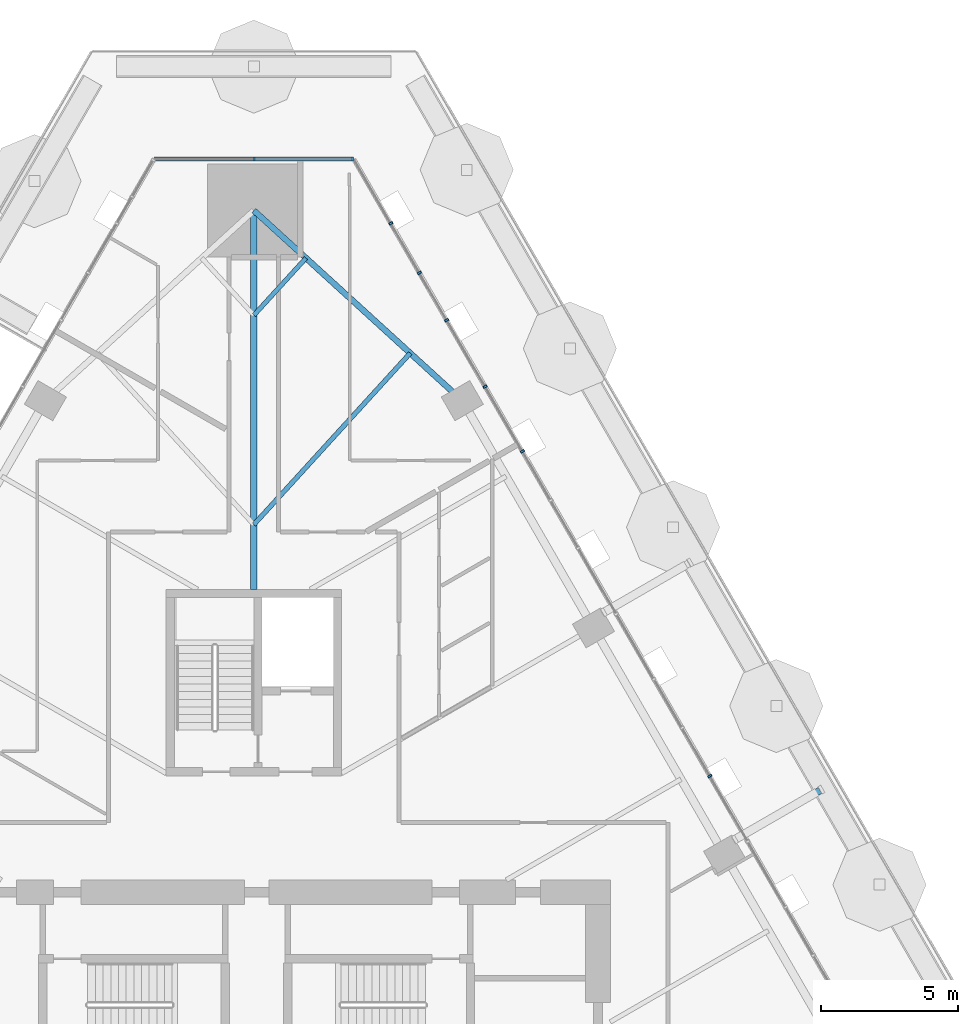
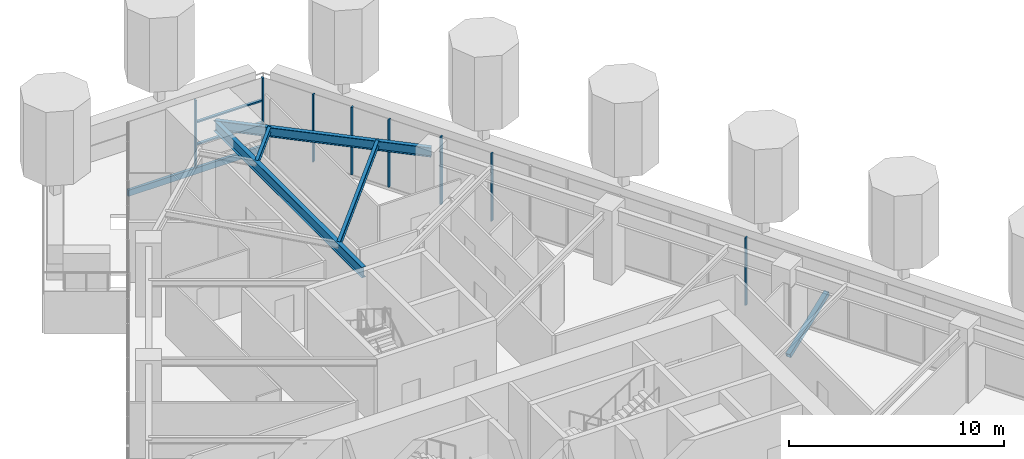
# One storey, part 12 of 26: 12 members, 4 beams, 2 elements without a shape of their own.
"""IFC4 building model written with IfcOpenShell, lengths in metres."""

from ifc_helpers import new_model, si_unit, direction, frame, origin, origin_2d, place, context, subcontext, project, spatial, rectangle, hollow_rectangle, i_section, extrude, material, layer, layer_set, material_profile, profile_set, type_object, element, aggregate, save


model = new_model("IFC4")

# Units and contexts
model_context = context("Model", 3, precision=1e-05, world=origin(), true_north=direction((0.0, 1.0)))
body_context = subcontext(model_context, "Body", "Model", "MODEL_VIEW")
ifc_project = project(units=[si_unit("LENGTHUNIT", "METRE"), si_unit("AREAUNIT", "SQUARE_METRE"), si_unit("VOLUMEUNIT", "CUBIC_METRE"), si_unit("PLANEANGLEUNIT", "RADIAN"), si_unit("MASSUNIT", "GRAM", prefix="KILO")], contexts=[model_context])

# Site, building, storey
site_placement = place(None, origin())
site = spatial("IfcSite", under=ifc_project, at=site_placement, CompositionType="ELEMENT")
building_placement = place(site_placement, origin())
building = spatial("IfcBuilding", under=site, at=building_placement, Name="Firuza Gate Tower and Library", CompositionType="ELEMENT")
storey_placement = place(building_placement, frame((0.0, 0.0, 52.60009765625)))
storey = spatial("IfcBuildingStorey", under=building, at=storey_placement, Name="L11", CompositionType="ELEMENT", Elevation=52.60009765625)

# Curtain wall, members
ifc_material_1 = material(Name="Aluminium 6063-T6", Category="aluminium")
ifc_layer_1 = layer(ifc_material_1, 0.14990234375)
ifc_layer_set_1 = layer_set([ifc_layer_1], Name="Unitised curtain wall, offices")
curtain_wall_type_1 = type_object("IfcCurtainWallType", Name="Unitised curtain wall, offices", PredefinedType="NOTDEFINED", material=ifc_layer_set_1)
placement = place(storey_placement, origin())
curtain_wall_1 = element("IfcCurtainWall", 1, at=placement, inside=storey, type_object=curtain_wall_type_1, Name="CW1 L11 E face", PredefinedType="NOTDEFINED")
ifc_material_2 = material(Name="Aluminium 6063-T6", Category="aluminium")
ifc_material_profile_1 = material_profile(ifc_material_2, rectangle(XDim=0.14990234375, YDim=0.080078125, at=origin_2d()))
ifc_profile_set_1 = profile_set([ifc_material_profile_1], Name="Aluminium 6063-T6")
member_type_1 = type_object("IfcMemberType", Name="Curtain wall mullion 80x150", PredefinedType="MULLION", material=ifc_profile_set_1)
member_1_placement = place(storey_placement, frame((83.43408203125, 101.997314453125, 0.14990234375), z_axis=(0.0, 0.0, 1.0), x_axis=(-0.866025403784, -0.5, 0.0)))
member_1 = element("IfcMember", 2, at=member_1_placement, type_object=member_type_1, Name="Mullion", PredefinedType="MULLION", context=body_context, shape_type="SweptSolid", body=[
    extrude(rectangle(XDim=0.14990234375, YDim=0.080078125, at=origin_2d()), origin(), (0.0, 0.0, 1.0), 3.85009765625),
])
member_2_placement = place(storey_placement, frame((81.038818359375, 106.146240234375, 0.14990234375), z_axis=(0.0, 0.0, 1.0), x_axis=(-0.866025403784, -0.5, 0.0)))
member_2 = element("IfcMember", 3, at=member_2_placement, type_object=member_type_1, Name="Mullion", PredefinedType="MULLION", context=body_context, shape_type="SweptSolid", body=[
    extrude(rectangle(XDim=0.14990234375, YDim=0.080078125, at=origin_2d()), origin(), (0.0, 0.0, 1.0), 3.85009765625),
])
member_3_placement = place(storey_placement, frame((91.634521484375, 87.793701171875, 0.14990234375), z_axis=(0.0, 0.0, 1.0), x_axis=(-0.866025403784, -0.5, 0.0)))
member_3 = element("IfcMember", 4, at=member_3_placement, type_object=member_type_1, Name="Mullion", PredefinedType="MULLION", context=body_context, shape_type="SweptSolid", body=[
    extrude(rectangle(XDim=0.14990234375, YDim=0.080078125, at=origin_2d()), origin(), (0.0, 0.0, 1.0), 3.85009765625),
])
member_4_placement = place(storey_placement, frame((84.796875, 99.63671875, 0.14990234375), z_axis=(0.0, 0.0, 1.0), x_axis=(-0.866025403784, -0.5, 0.0)))
member_4 = element("IfcMember", 5, at=member_4_placement, type_object=member_type_1, Name="Mullion", PredefinedType="MULLION", context=body_context, shape_type="SweptSolid", body=[
    extrude(rectangle(XDim=0.14990234375, YDim=0.080078125, at=origin_2d()), origin(), (0.0, 0.0, 1.0), 3.85009765625),
])
member_5_placement = place(storey_placement, frame((82.03466796875, 104.42138671875, 0.14990234375), z_axis=(0.0, 0.0, 1.0), x_axis=(-0.866025403784, -0.5, 0.0)))
member_5 = element("IfcMember", 6, at=member_5_placement, type_object=member_type_1, Name="Mullion", PredefinedType="MULLION", context=body_context, shape_type="SweptSolid", body=[
    extrude(rectangle(XDim=0.14990234375, YDim=0.080078125, at=origin_2d()), origin(), (0.0, 0.0, 1.0), 3.85009765625),
])
member_6_placement = place(storey_placement, frame((79.9970703125, 107.95068359375, 0.14990234375), z_axis=(0.0, 0.0, 1.0), x_axis=(-0.866025403784, -0.5, 0.0)))
member_6 = element("IfcMember", 7, at=member_6_placement, type_object=member_type_1, Name="Mullion", PredefinedType="MULLION", context=body_context, shape_type="SweptSolid", body=[
    extrude(rectangle(XDim=0.14990234375, YDim=0.080078125, at=origin_2d()), origin(), (0.0, 0.0, 1.0), 3.85009765625),
])
aggregate(curtain_wall_1, [member_1, member_2, member_3, member_4, member_5, member_6])

ifc_material_3 = material(Name="Aluminium 6063-T6", Category="aluminium")
ifc_layer_2 = layer(ifc_material_3, 0.14990234375)
ifc_layer_set_2 = layer_set([ifc_layer_2], Name="Corner curtain wall, chamfers")
curtain_wall_type_2 = type_object("IfcCurtainWallType", Name="Corner curtain wall, chamfers", PredefinedType="NOTDEFINED", material=ifc_layer_set_2)
curtain_wall_2 = element("IfcCurtainWall", 8, at=placement, inside=storey, type_object=curtain_wall_type_2, Name="CW4 L11 N corner", PredefinedType="NOTDEFINED")
member_7_placement = place(storey_placement, frame((78.603271484375, 110.29541015625, 0.14990234375), z_axis=(0.0, 0.0, 1.0), x_axis=(0.0, -1.0, 0.0)))
member_7 = element("IfcMember", 9, at=member_7_placement, type_object=member_type_1, Name="Mullion", PredefinedType="MULLION", context=body_context, shape_type="SweptSolid", body=[
    extrude(rectangle(XDim=0.14990234375, YDim=0.080078125, at=origin_2d()), origin(), (0.0, 0.0, 1.0), 3.85009765625),
])
member_8_placement = place(storey_placement, frame((75.0, 110.29541015625, 0.14990234375), z_axis=(0.0, 0.0, 1.0), x_axis=(0.0, -1.0, 0.0)))
member_8 = element("IfcMember", 10, at=member_8_placement, type_object=member_type_1, Name="Mullion", PredefinedType="MULLION", context=body_context, shape_type="SweptSolid", body=[
    extrude(rectangle(XDim=0.14990234375, YDim=0.080078125, at=origin_2d()), origin(), (0.0, 0.0, 1.0), 3.85009765625),
])
ifc_material_4 = material(Name="Aluminium 6063-T6", Category="aluminium")
ifc_material_profile_2 = material_profile(ifc_material_4, rectangle(XDim=0.14990234375, YDim=0.35009765625, at=origin_2d()))
ifc_profile_set_2 = profile_set([ifc_material_profile_2], Name="Aluminium 6063-T6")
member_type_2 = type_object("IfcMemberType", Name="Curtain wall transom 350x150", PredefinedType="USERDEFINED", material=ifc_profile_set_2)
member_9_placement = place(storey_placement, frame((78.643310546875, 110.29541015625, -0.025146484375), z_axis=(-1.0, 0.0, 0.0), x_axis=(0.0, -1.0, 0.0)))
member_9 = element("IfcMember", 11, at=member_9_placement, type_object=member_type_2, Name="Transom", ObjectType="TRANSOM", PredefinedType="USERDEFINED", context=body_context, shape_type="SweptSolid", body=[
    extrude(rectangle(XDim=0.14990234375, YDim=0.35009765625, at=origin_2d()), origin(), (0.0, 0.0, 1.0), 7.28662109375),
])
ifc_material_5 = material(Name="Aluminium 6063-T6", Category="aluminium")
ifc_material_profile_3 = material_profile(ifc_material_5, rectangle(XDim=0.14990234375, YDim=0.080078125, at=origin_2d()))
ifc_profile_set_3 = profile_set([ifc_material_profile_3], Name="Aluminium 6063-T6")
member_type_3 = type_object("IfcMemberType", Name="Curtain wall transom 80x150", PredefinedType="USERDEFINED", material=ifc_profile_set_3)
member_10_placement = place(storey_placement, frame((78.603271484375, 110.29541015625, 1.449951171875), z_axis=(-1.0, 0.0, 0.0), x_axis=(0.0, -1.0, 0.0)))
member_10 = element("IfcMember", 12, at=member_10_placement, type_object=member_type_3, Name="Transom", ObjectType="TRANSOM", PredefinedType="USERDEFINED", context=body_context, shape_type="SweptSolid", body=[
    extrude(rectangle(XDim=0.14990234375, YDim=0.080078125, at=origin_2d()), origin(), (0.0, 0.0, 1.0), 3.563232421875),
])
member_11_placement = place(storey_placement, frame((78.603271484375, 110.29541015625, 2.724853515625), z_axis=(-1.0, 0.0, 0.0), x_axis=(0.0, -1.0, 0.0)))
member_11 = element("IfcMember", 13, at=member_11_placement, type_object=member_type_3, Name="Transom", ObjectType="TRANSOM", PredefinedType="USERDEFINED", context=body_context, shape_type="SweptSolid", body=[
    extrude(rectangle(XDim=0.14990234375, YDim=0.080078125, at=origin_2d()), origin(), (0.0, 0.0, 1.0), 3.563232421875),
])
aggregate(curtain_wall_2, [member_7, member_8, member_9, member_10, member_11])

# Member
ifc_material_6 = material(Name="Steel S355", Category="steel")
ifc_material_profile_4 = material_profile(ifc_material_6, hollow_rectangle(XDim=0.25390625, YDim=0.25390625, WallThickness=0.01171875, at=origin_2d()))
ifc_profile_set_4 = profile_set([ifc_material_profile_4], Name="Steel S355")
member_type_4 = type_object("IfcMemberType", Name="HSS254x254x13 Tray strut", PredefinedType="BRACE", material=ifc_profile_set_4)
member_12_placement = place(storey_placement, frame((92.5712890625, 85.4912109375, -1.670166015625), z_axis=(0.807122458648, 0.466007352202, 0.362478253747), x_axis=(-0.500012057535, 0.866018442252, 0.0)))
element("IfcMember", 14, at=member_12_placement, inside=storey, type_object=member_type_4, Name="Tray strut L11 col:L10:E3", PredefinedType="BRACE", context=body_context, shape_type="SweptSolid", body=[
    extrude(hollow_rectangle(XDim=0.25390625, YDim=0.25390625, WallThickness=0.01171875, at=origin_2d()), origin(), (0.0, 0.0, 1.0), 3.86279296875),
])

# Beams
ifc_material_7 = material(Name="Steel S355", Category="steel")
ifc_material_profile_5 = material_profile(ifc_material_7, i_section(OverallWidth=0.1650390625, OverallDepth=0.31005859375, WebThickness=0.005859375, FlangeThickness=0.009765625, at=origin_2d()))
ifc_profile_set_5 = profile_set([ifc_material_profile_5], Name="Steel S355")
beam_type_1 = type_object("IfcBeamType", Name="W310x39 Floor beam", PredefinedType="JOIST", material=ifc_profile_set_5)
beam_1_placement = place(storey_placement, frame((76.901123046875, 106.6865234375, 3.844970703125), z_axis=(-0.673865036235, -0.738854459917, 0.0), x_axis=(0.738854459917, -0.673865036235, 0.0)))
element("IfcBeam", 15, at=beam_1_placement, inside=storey, type_object=beam_type_1, Name="Floor beam L11 s61", PredefinedType="JOIST", context=body_context, shape_type="SweptSolid", body=[
    extrude(i_section(OverallWidth=0.1650390625, OverallDepth=0.31005859375, WebThickness=0.005859375, FlangeThickness=0.009765625, at=origin_2d()), origin(), (0.0, 0.0, 1.0), 2.8212890625),
])
ifc_material_8 = material(Name="Steel S355", Category="steel")
ifc_material_profile_6 = material_profile(ifc_material_8, i_section(OverallWidth=0.1708984375, OverallDepth=0.35498046875, WebThickness=0.007080078125, FlangeThickness=0.01171875, at=origin_2d()))
ifc_profile_set_6 = profile_set([ifc_material_profile_6], Name="Steel S355")
beam_type_2 = type_object("IfcBeamType", Name="W360x51 Floor beam", PredefinedType="JOIST", material=ifc_profile_set_6)
beam_2_placement = place(storey_placement, frame((80.703125, 103.21875, 3.822509765625), z_axis=(-0.673863651071, -0.73885572324, 0.0), x_axis=(0.73885572324, -0.673863651071, 0.0)))
element("IfcBeam", 16, at=beam_2_placement, inside=storey, type_object=beam_type_2, Name="Floor beam L11 s60", PredefinedType="JOIST", context=body_context, shape_type="SweptSolid", body=[
    extrude(i_section(OverallWidth=0.1708984375, OverallDepth=0.35498046875, WebThickness=0.007080078125, FlangeThickness=0.01171875, at=origin_2d()), origin(), (0.0, 0.0, 1.0), 8.46337890625),
])
ifc_material_9 = material(Name="Steel S355", Category="steel")
ifc_material_profile_7 = material_profile(ifc_material_9, i_section(OverallWidth=0.212890625, OverallDepth=0.5390625, WebThickness=0.01171875, FlangeThickness=0.018798828125, at=origin_2d()))
ifc_profile_set_7 = profile_set([ifc_material_profile_7], Name="Steel S355")
beam_type_3 = type_object("IfcBeamType", Name="W530x109 Edge beam", PredefinedType="SPANDREL", material=ifc_profile_set_7)
beam_3_placement = place(storey_placement, frame((82.604248046875, 101.48486328125, 3.73046875), z_axis=(-0.738846416026, 0.673873855796, 0.0), x_axis=(-0.673873855796, -0.738846416026, 0.0)))
element("IfcBeam", 17, at=beam_3_placement, inside=storey, type_object=beam_type_3, Name="Edge beam L11 e60", PredefinedType="SPANDREL", context=body_context, shape_type="SweptSolid", body=[
    extrude(i_section(OverallWidth=0.212890625, OverallDepth=0.5390625, WebThickness=0.01171875, FlangeThickness=0.018798828125, at=origin_2d()), origin(), (0.0, 0.0, 1.0), 10.2919921875),
])
ifc_material_10 = material(Name="Steel S355", Category="steel")
ifc_material_profile_8 = material_profile(ifc_material_10, i_section(OverallWidth=0.22802734375, OverallDepth=0.60302734375, WebThickness=0.010498046875, FlangeThickness=0.014892578125, at=origin_2d()))
ifc_profile_set_8 = profile_set([ifc_material_profile_8], Name="Steel S355")
beam_type_4 = type_object("IfcBeamType", Name="W610x101 Girder", PredefinedType="BEAM", material=ifc_profile_set_8)
beam_4_placement = place(storey_placement, frame((75.0, 108.42041015625, 3.698486328125), z_axis=(0.0, -1.0, 0.0), x_axis=(1.0, 0.0, 0.0)))
element("IfcBeam", 18, at=beam_4_placement, inside=storey, type_object=beam_type_4, Name="Girder L11 gN", PredefinedType="BEAM", context=body_context, shape_type="SweptSolid", body=[
    extrude(i_section(OverallWidth=0.22802734375, OverallDepth=0.60302734375, WebThickness=0.010498046875, FlangeThickness=0.014892578125, at=origin_2d()), origin(), (0.0, 0.0, 1.0), 13.8203125),
])

save(model, "model.ifc")
